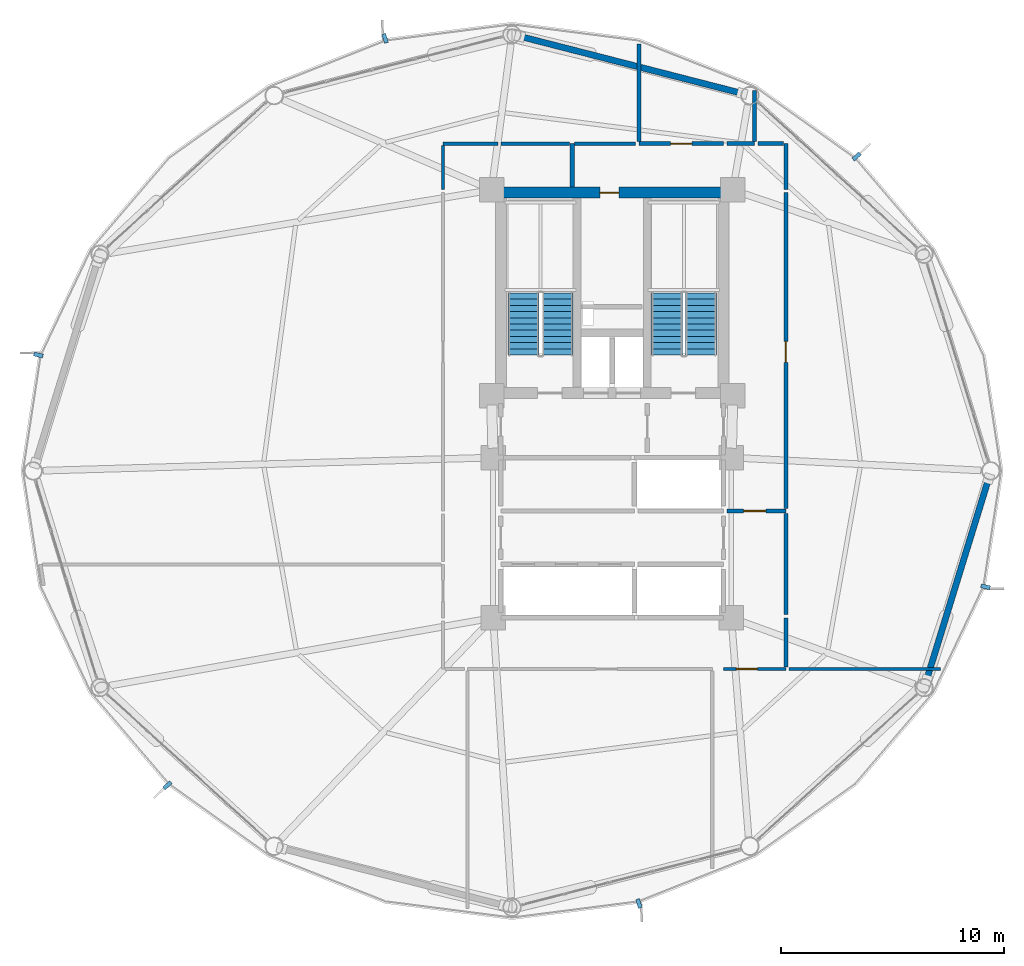
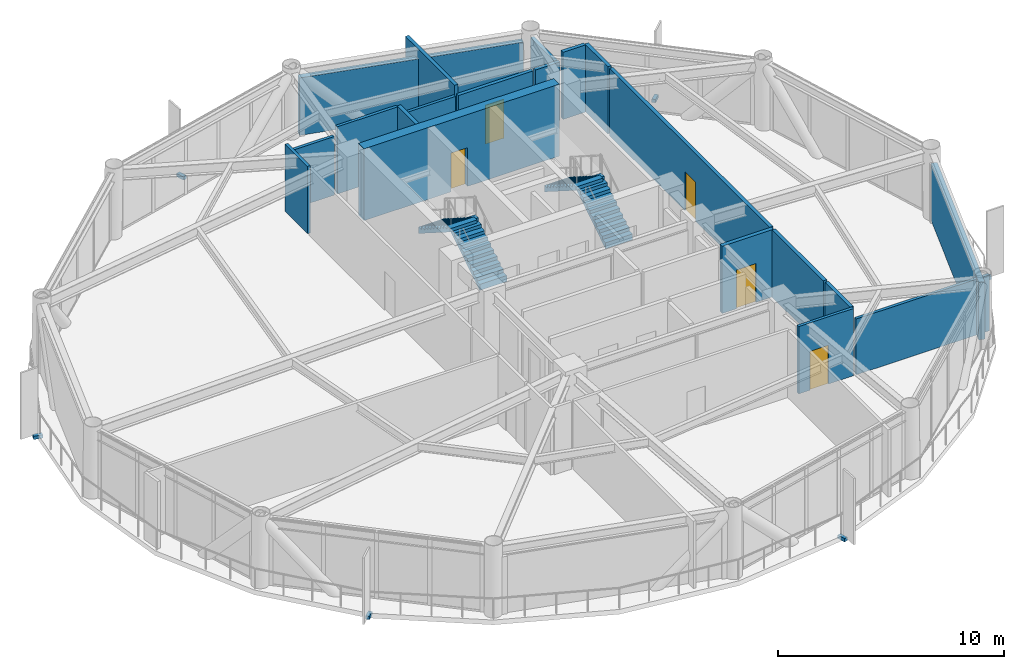
# One storey, part 20 of 23: 20 walls, 6 discrete accessories, 5 doors, 4 stair flights, 5 openings, 2 elements without a shape of their own.
"""IFC4 building model written with IfcOpenShell, lengths in metres."""

from ifc_helpers import new_model, si_unit, direction, frame, frame_2d, origin, origin_2d, place, context, subcontext, project, spatial, polyline, rectangle, outline, extrude, source, transform, mapped, material, layer, layer_set, type_object, type_shapes, element, fill, aggregate, save


model = new_model("IFC4")

# Units and contexts
model_context = context("Model", 3, precision=1e-05, world=origin(), true_north=direction((0.0, 1.0)))
body_context = subcontext(model_context, "Body", "Model", "MODEL_VIEW")
ifc_project = project(units=[si_unit("LENGTHUNIT", "METRE"), si_unit("AREAUNIT", "SQUARE_METRE"), si_unit("VOLUMEUNIT", "CUBIC_METRE"), si_unit("PLANEANGLEUNIT", "RADIAN"), si_unit("MASSUNIT", "GRAM", prefix="KILO")], contexts=[model_context])

# Site, building, storey
site_placement = place(None, origin())
site = spatial("IfcSite", under=ifc_project, at=site_placement, CompositionType="ELEMENT")
building_placement = place(site_placement, origin())
building = spatial("IfcBuilding", under=site, at=building_placement, Name="Varnakorn Sky Granary", CompositionType="ELEMENT")
storey_placement = place(building_placement, frame((0.0, 0.0, 107.10009765625)))
storey = spatial("IfcBuildingStorey", under=building, at=storey_placement, Name="L26", CompositionType="ELEMENT", Elevation=107.10009765625)

# Wall, opening, door
ifc_material_1 = material(Name="Concrete C60/75", Category="concrete")
ifc_layer_1 = layer(ifc_material_1, 0.5, Name="Concrete C60/75")
ifc_layer_set_1 = layer_set([ifc_layer_1], Name="Concrete C60/75")
wall_type_1 = type_object("IfcWallType", Name="WT-CW-SHEAR-500", PredefinedType="SHEAR", material=ifc_layer_set_1)
wall_1_placement = place(storey_placement, frame((-2.0, 12.5, 0.0), z_axis=(0.0, 0.0, 1.0), x_axis=(1.0, 0.0, 0.0)))
wall_1 = element("IfcWall", 1, at=wall_1_placement, inside=storey, type_object=wall_type_1, Name="Core North Shear Wall L26", PredefinedType="SHEAR", context=body_context, shape_type="SweptSolid", body=[
    extrude(rectangle(XDim=10.0, YDim=0.5, at=frame_2d((5.0, 0.0))), origin(), (0.0, 0.0, 1.0), 3.891845703125),
])
opening_1_placement = place(wall_1_placement, frame((4.449951171875, 0.0, 0.0)))
opening_1 = element("IfcOpeningElement", 2, at=opening_1_placement, cuts=wall_1, Name="Opening FD-60N", PredefinedType="OPENING", context=body_context, shape_type="SweptSolid", body=[
    extrude(rectangle(XDim=0.85009765625, YDim=2.10009765625, at=frame_2d((0.425048828125, 1.050048828125))), frame((0.0, 0.260009765625, 0.0), z_axis=(0.0, -1.0, 0.0), x_axis=(1.0, 0.0, 0.0)), (0.0, 0.0, 1.0), 0.52001953125),
])
ifc_material_2 = material(Name="Acoustic Timber Fire Leaf", Category="wood")
door_type_1 = type_object("IfcDoorType", Name="DR-FD60-850", OperationType="NOTDEFINED", PredefinedType="DOOR", material=ifc_material_2)
door_1_placement = place(opening_1_placement, origin())
door_1 = element("IfcDoor", 3, at=door_1_placement, inside=storey, type_object=door_type_1, Name="Core North Service Door L26", OperationType="SINGLE_SWING_RIGHT", OverallHeight=2.10009765625, OverallWidth=0.85009765625, PredefinedType="DOOR", context=body_context, shape_type="SweptSolid", body=[
    extrude(rectangle(XDim=0.85009765625, YDim=2.10009765625, at=frame_2d((0.425048828125, 1.050048828125))), frame((0.0, 0.02490234375, 0.0), z_axis=(0.0, -1.0, 0.0), x_axis=(1.0, 0.0, 0.0)), (0.0, 0.0, 1.0), 0.050048828125),
])
fill(opening_1, door_1)

# Walls
ifc_material_3 = material(Name="Precast concrete C40/50", Category="concrete")
ifc_layer_2 = layer(ifc_material_3, 0.280029296875, Name="Precast concrete C40/50")
ifc_layer_set_2 = layer_set([ifc_layer_2], Name="Precast concrete C40/50")
wall_type_2 = type_object("IfcWallType", Name="WT-EW-CRN-280", PredefinedType="SOLIDWALL", material=ifc_layer_set_2)
wall_2_placement = place(storey_placement, frame((-1.14990234375, 19.522216796875, 0.0), z_axis=(0.0, 0.0, 1.0), x_axis=(0.96859447041, -0.248645836265, 0.0)))
element("IfcWall", 4, at=wall_2_placement, inside=storey, type_object=wall_type_2, Name="Agritech Insulated Precast Facade Wall L26-P03", PredefinedType="SOLIDWALL", context=body_context, shape_type="SweptSolid", body=[
    extrude(rectangle(XDim=10.314697265625, YDim=0.280029296875, at=frame_2d((5.1572265625, 0.0))), origin(), (0.0, 0.0, 1.0), 3.10986328125),
])
wall_3_placement = place(storey_placement, frame((19.91064453125, -0.345458984375, 0.0), z_axis=(0.0, 0.0, 1.0), x_axis=(-0.294373967966, -0.95569030914, 0.0)))
element("IfcWall", 5, at=wall_3_placement, inside=storey, type_object=wall_type_2, Name="Agritech Insulated Precast Facade Wall L26-P12", PredefinedType="SOLIDWALL", context=body_context, shape_type="SweptSolid", body=[
    extrude(rectangle(XDim=9.467041015625, YDim=0.280029296875, at=frame_2d((4.7333984375, 0.0))), origin(), (0.0, 0.0, 1.0), 3.10986328125),
])

# Wall, opening, door
ifc_material_4 = material(Name="Autoclaved Aerated Concrete Blockwork", Category="masonry")
ifc_layer_3 = layer(ifc_material_4, 0.199951171875, Name="Autoclaved Aerated Concrete Blockwork")
ifc_layer_set_3 = layer_set([ifc_layer_3], Name="Autoclaved Aerated Concrete Blockwork")
wall_type_3 = type_object("IfcWallType", Name="WT-FIRE-200", PredefinedType="MOVABLE", material=ifc_layer_set_3)
wall_4_placement = place(storey_placement, frame((8.159912109375, -1.800048828125, 0.0), z_axis=(0.0, 0.0, 1.0), x_axis=(1.0, 0.0, 0.0)))
wall_4 = element("IfcWall", 6, at=wall_4_placement, inside=storey, type_object=wall_type_3, Name="Interior Partition Wall L26-021", PredefinedType="MOVABLE", context=body_context, shape_type="SweptSolid", body=[
    extrude(rectangle(XDim=2.64013671875, YDim=0.199951171875, at=frame_2d((1.320068359375, 0.0))), origin(), (0.0, 0.0, 1.0), 3.639892578125),
])
opening_2_placement = place(wall_4_placement, frame((0.739990234375, 0.0, 0.0)))
opening_2 = element("IfcOpeningElement", 7, at=opening_2_placement, cuts=wall_4, Name="Opening FD-60", PredefinedType="OPENING", context=body_context, shape_type="SweptSolid", body=[
    extrude(rectangle(XDim=1.0, YDim=2.10009765625, at=frame_2d((0.5, 1.050048828125))), frame((0.0, 0.10986328125, 0.0), z_axis=(0.0, -1.0, 0.0), x_axis=(1.0, 0.0, 0.0)), (0.0, 0.0, 1.0), 0.219970703125),
])
door_type_2 = type_object("IfcDoorType", Name="DR-FD60-1000", OperationType="NOTDEFINED", PredefinedType="DOOR", material=ifc_material_2)
door_2_placement = place(opening_2_placement, origin())
door_2 = element("IfcDoor", 8, at=door_2_placement, inside=storey, type_object=door_type_2, Name="Interior Door L26-021-1", OperationType="SINGLE_SWING_LEFT", OverallHeight=2.10009765625, OverallWidth=1.0, PredefinedType="DOOR", context=body_context, shape_type="SweptSolid", body=[
    extrude(rectangle(XDim=1.0, YDim=2.10009765625, at=frame_2d((0.5, 1.050048828125))), frame((0.0, 0.02490234375, 0.0), z_axis=(0.0, -1.0, 0.0), x_axis=(1.0, 0.0, 0.0)), (0.0, 0.0, 1.0), 0.050048828125),
])
fill(opening_2, door_2)

# Wall
wall_5_placement = place(storey_placement, frame((1.199951171875, 14.699951171875, 0.0), z_axis=(0.0, 0.0, 1.0), x_axis=(0.0, -1.0, 0.0)))
element("IfcWall", 9, at=wall_5_placement, inside=storey, type_object=wall_type_3, Name="Interior Partition Wall L26-029", PredefinedType="MOVABLE", context=body_context, shape_type="SweptSolid", body=[
    extrude(rectangle(XDim=1.93994140625, YDim=0.199951171875, at=frame_2d((0.969970703125, 0.0))), origin(), (0.0, 0.0, 1.0), 3.639892578125),
])

# Wall, opening, door
ifc_material_5 = material(Name="Gypsum Plasterboard on Steel Stud", Category="steel")
ifc_layer_4 = layer(ifc_material_5, 0.14990234375, Name="Gypsum Plasterboard on Steel Stud")
ifc_layer_set_4 = layer_set([ifc_layer_4], Name="Gypsum Plasterboard on Steel Stud")
wall_type_4 = type_object("IfcWallType", Name="WT-PART-150", PredefinedType="PARTITIONING", material=ifc_layer_set_4)
wall_6_placement = place(storey_placement, frame((8.0, -8.89990234375, 0.0), z_axis=(0.0, 0.0, 1.0), x_axis=(1.0, 0.0, 0.0)))
wall_6 = element("IfcWall", 10, at=wall_6_placement, inside=storey, type_object=wall_type_4, Name="Interior Partition Wall L26-024", PredefinedType="PARTITIONING", context=body_context, shape_type="SweptSolid", body=[
    extrude(rectangle(XDim=2.800048828125, YDim=0.14990234375, at=frame_2d((1.39990234375, 0.0))), origin(), (0.0, 0.0, 1.0), 3.639892578125),
])
opening_3_placement = place(wall_6_placement, frame((0.574951171875, 0.0, 0.0)))
opening_3 = element("IfcOpeningElement", 11, at=opening_3_placement, cuts=wall_6, Name="Opening ID-95", PredefinedType="OPENING", context=body_context, shape_type="SweptSolid", body=[
    extrude(rectangle(XDim=0.949951171875, YDim=2.10009765625, at=frame_2d((0.47509765625, 1.050048828125))), frame((0.0, 0.0849609375, 0.0), z_axis=(0.0, -1.0, 0.0), x_axis=(1.0, 0.0, 0.0)), (0.0, 0.0, 1.0), 0.169921875),
])
ifc_material_6 = material(Name="Solid-Core Teak Veneer Leaf", Category="timber")
door_type_3 = type_object("IfcDoorType", Name="DR-INT-950", OperationType="NOTDEFINED", PredefinedType="DOOR", material=ifc_material_6)
door_3_placement = place(opening_3_placement, origin())
door_3 = element("IfcDoor", 12, at=door_3_placement, inside=storey, type_object=door_type_3, Name="Interior Door L26-024-1", OperationType="SINGLE_SWING_RIGHT", OverallHeight=2.10009765625, OverallWidth=0.949951171875, PredefinedType="DOOR", context=body_context, shape_type="SweptSolid", body=[
    extrude(rectangle(XDim=0.949951171875, YDim=2.10009765625, at=frame_2d((0.47509765625, 1.050048828125))), frame((0.0, 0.02490234375, 0.0), z_axis=(0.0, -1.0, 0.0), x_axis=(1.0, 0.0, 0.0)), (0.0, 0.0, 1.0), 0.050048828125),
])
fill(opening_3, door_3)

# Walls
wall_7_placement = place(storey_placement, frame((10.93505859375, -8.89990234375, 0.0), z_axis=(0.0, 0.0, 1.0), x_axis=(1.0, 0.0, 0.0)))
element("IfcWall", 13, at=wall_7_placement, inside=storey, type_object=wall_type_4, Name="Interior Partition Wall L26-034", PredefinedType="PARTITIONING", context=body_context, shape_type="SweptSolid", body=[
    extrude(rectangle(XDim=6.822021484375, YDim=0.14990234375, at=frame_2d((3.4111328125, 0.0))), origin(), (0.0, 0.0, 1.0), 3.02197265625),
])
wall_8_placement = place(storey_placement, frame((1.090087890625, 14.699951171875, 0.0), z_axis=(0.0, 0.0, 1.0), x_axis=(-1.0, 0.0, 0.0)))
element("IfcWall", 14, at=wall_8_placement, inside=storey, type_object=wall_type_4, Name="Interior Partition Wall L26-039", PredefinedType="PARTITIONING", context=body_context, shape_type="SweptSolid", body=[
    extrude(rectangle(XDim=3.090087890625, YDim=0.14990234375, at=frame_2d((1.544921875, 0.0))), origin(), (0.0, 0.0, 1.0), 3.639892578125),
])
wall_9_placement = place(storey_placement, frame((-2.135009765625, 14.699951171875, 0.0), z_axis=(0.0, 0.0, 1.0), x_axis=(-1.0, 0.0, 0.0)))
element("IfcWall", 15, at=wall_9_placement, inside=storey, type_object=wall_type_4, Name="Interior Partition Wall L26-040", PredefinedType="PARTITIONING", context=body_context, shape_type="SweptSolid", body=[
    extrude(rectangle(XDim=2.465087890625, YDim=0.14990234375, at=frame_2d((1.232421875, 0.0))), origin(), (0.0, 0.0, 1.0), 3.171875),
])
wall_10_placement = place(storey_placement, frame((-4.60009765625, 14.614990234375, 0.0), z_axis=(0.0, 0.0, 1.0), x_axis=(0.0, -1.0, 0.0)))
element("IfcWall", 16, at=wall_10_placement, inside=storey, type_object=wall_type_4, Name="Interior Partition Wall L26-042", PredefinedType="PARTITIONING", context=body_context, shape_type="SweptSolid", body=[
    extrude(rectangle(XDim=1.97998046875, YDim=0.14990234375, at=frame_2d((0.989990234375, 0.0))), origin(), (0.0, 0.0, 1.0), 3.639892578125),
])
wall_11_placement = place(storey_placement, frame((4.050048828125, 14.699951171875, 0.0), z_axis=(0.0, 0.0, 1.0), x_axis=(-1.0, 0.0, 0.0)))
element("IfcWall", 17, at=wall_11_placement, inside=storey, type_object=wall_type_4, Name="Interior Partition Wall L26-043", PredefinedType="PARTITIONING", context=body_context, shape_type="SweptSolid", body=[
    extrude(rectangle(XDim=2.739990234375, YDim=0.14990234375, at=frame_2d((1.3701171875, 0.0))), origin(), (0.0, 0.0, 1.0), 3.171875),
])

# Wall, opening, door
ifc_material_7 = material(Name="Moisture-Resistant Gypsum on Stud", Category="gypsum")
ifc_layer_5 = layer(ifc_material_7, 0.179931640625, Name="Moisture-Resistant Gypsum on Stud")
ifc_layer_set_5 = layer_set([ifc_layer_5], Name="Moisture-Resistant Gypsum on Stud")
wall_type_5 = type_object("IfcWallType", Name="WT-PLUMB-180", PredefinedType="PLUMBINGWALL", material=ifc_layer_set_5)
wall_12_placement = place(storey_placement, frame((8.0, 14.699951171875, 0.0), z_axis=(0.0, 0.0, 1.0), x_axis=(-1.0, 0.0, 0.0)))
wall_12 = element("IfcWall", 18, at=wall_12_placement, inside=storey, type_object=wall_type_5, Name="Interior Partition Wall L26-022", PredefinedType="PLUMBINGWALL", context=body_context, shape_type="SweptSolid", body=[
    extrude(rectangle(XDim=3.800048828125, YDim=0.179931640625, at=frame_2d((1.89990234375, 0.0))), origin(), (0.0, 0.0, 1.0), 3.171875),
])
opening_4_placement = place(wall_12_placement, frame((1.425048828125, 0.0, 0.0)))
opening_4 = element("IfcOpeningElement", 19, at=opening_4_placement, cuts=wall_12, Name="Opening ID-95", PredefinedType="OPENING", context=body_context, shape_type="SweptSolid", body=[
    extrude(rectangle(XDim=0.949951171875, YDim=2.10009765625, at=frame_2d((0.47509765625, 1.050048828125))), frame((0.0, 0.10009765625, 0.0), z_axis=(0.0, -1.0, 0.0), x_axis=(1.0, 0.0, 0.0)), (0.0, 0.0, 1.0), 0.199951171875),
])
door_4_placement = place(opening_4_placement, origin())
door_4 = element("IfcDoor", 20, at=door_4_placement, inside=storey, type_object=door_type_3, Name="Interior Door L26-022-1", OperationType="SINGLE_SWING_RIGHT", OverallHeight=2.10009765625, OverallWidth=0.949951171875, PredefinedType="DOOR", context=body_context, shape_type="SweptSolid", body=[
    extrude(rectangle(XDim=0.949951171875, YDim=2.10009765625, at=frame_2d((0.47509765625, 1.050048828125))), frame((0.0, 0.02490234375, 0.0), z_axis=(0.0, -1.0, 0.0), x_axis=(1.0, 0.0, 0.0)), (0.0, 0.0, 1.0), 0.050048828125),
])
fill(opening_4, door_4)

wall_13_placement = place(storey_placement, frame((10.800048828125, -1.68994140625, 0.0), z_axis=(0.0, 0.0, 1.0), x_axis=(0.0, 1.0, 0.0)))
wall_13 = element("IfcWall", 21, at=wall_13_placement, inside=storey, type_object=wall_type_5, Name="Interior Partition Wall L26-027", PredefinedType="PLUMBINGWALL", context=body_context, shape_type="SweptSolid", body=[
    extrude(rectangle(XDim=14.18994140625, YDim=0.179931640625, at=frame_2d((7.094970703125, 0.0))), origin(), (0.0, 0.0, 1.0), 3.639892578125),
])
opening_5_placement = place(wall_13_placement, frame((6.56494140625, 0.0, 0.0)))
opening_5 = element("IfcOpeningElement", 22, at=opening_5_placement, cuts=wall_13, Name="Opening ID-95", PredefinedType="OPENING", context=body_context, shape_type="SweptSolid", body=[
    extrude(rectangle(XDim=0.949951171875, YDim=2.10009765625, at=frame_2d((0.47509765625, 1.050048828125))), frame((0.0, 0.10009765625, 0.0), z_axis=(0.0, -1.0, 0.0), x_axis=(1.0, 0.0, 0.0)), (0.0, 0.0, 1.0), 0.199951171875),
])
door_5_placement = place(opening_5_placement, origin())
door_5 = element("IfcDoor", 23, at=door_5_placement, inside=storey, type_object=door_type_3, Name="Interior Door L26-027-1", OperationType="SINGLE_SWING_LEFT", OverallHeight=2.10009765625, OverallWidth=0.949951171875, PredefinedType="DOOR", context=body_context, shape_type="SweptSolid", body=[
    extrude(rectangle(XDim=0.949951171875, YDim=2.10009765625, at=frame_2d((0.47509765625, 1.050048828125))), frame((0.0, 0.02490234375, 0.0), z_axis=(0.0, -1.0, 0.0), x_axis=(1.0, 0.0, 0.0)), (0.0, 0.0, 1.0), 0.050048828125),
])
fill(opening_5, door_5)

# Walls
wall_14_placement = place(storey_placement, frame((9.39990234375, 14.699951171875, 0.0), z_axis=(0.0, 0.0, 1.0), x_axis=(-1.0, 0.0, 0.0)))
element("IfcWall", 24, at=wall_14_placement, inside=storey, type_object=wall_type_5, Name="Interior Partition Wall L26-030", PredefinedType="PLUMBINGWALL", context=body_context, shape_type="SweptSolid", body=[
    extrude(rectangle(XDim=1.25, YDim=0.179931640625, at=frame_2d((0.625, 0.0))), origin(), (0.0, 0.0, 1.0), 3.171875),
])
wall_15_placement = place(storey_placement, frame((4.199951171875, 19.175048828125, 0.0), z_axis=(0.0, 0.0, 1.0), x_axis=(0.0, -1.0, 0.0)))
element("IfcWall", 25, at=wall_15_placement, inside=storey, type_object=wall_type_5, Name="Interior Partition Wall L26-044", PredefinedType="PLUMBINGWALL", context=body_context, shape_type="SweptSolid", body=[
    extrude(rectangle(XDim=4.375, YDim=0.179931640625, at=frame_2d((2.1875, 0.0))), origin(), (0.0, 0.0, 1.0), 3.639892578125),
])
wall_16_placement = place(storey_placement, frame((10.800048828125, 12.64990234375, 0.0), z_axis=(0.0, 0.0, 1.0), x_axis=(0.0, 1.0, 0.0)))
element("IfcWall", 26, at=wall_16_placement, inside=storey, type_object=wall_type_5, Name="Interior Partition Wall L26-045", PredefinedType="PLUMBINGWALL", context=body_context, shape_type="SweptSolid", body=[
    extrude(rectangle(XDim=2.050048828125, YDim=0.179931640625, at=frame_2d((1.02490234375, 0.0))), origin(), (0.0, 0.0, 1.0), 3.639892578125),
])
wall_17_placement = place(storey_placement, frame((10.699951171875, 14.699951171875, 0.0), z_axis=(0.0, 0.0, 1.0), x_axis=(-1.0, 0.0, 0.0)))
element("IfcWall", 27, at=wall_17_placement, inside=storey, type_object=wall_type_5, Name="Interior Partition Wall L26-046", PredefinedType="PLUMBINGWALL", context=body_context, shape_type="SweptSolid", body=[
    extrude(rectangle(XDim=1.14990234375, YDim=0.179931640625, at=frame_2d((0.574951171875, 0.0))), origin(), (0.0, 0.0, 1.0), 3.639892578125),
])
wall_18_placement = place(storey_placement, frame((10.800048828125, -8.81494140625, 0.0), z_axis=(0.0, 0.0, 1.0), x_axis=(0.0, 1.0, 0.0)))
element("IfcWall", 28, at=wall_18_placement, inside=storey, type_object=wall_type_5, Name="Interior Partition Wall L26-047", PredefinedType="PLUMBINGWALL", context=body_context, shape_type="SweptSolid", body=[
    extrude(rectangle(XDim=2.21484375, YDim=0.179931640625, at=frame_2d((1.107421875, 0.0))), origin(), (0.0, 0.0, 1.0), 3.639892578125),
])
wall_19_placement = place(storey_placement, frame((10.800048828125, -6.449951171875, 0.0), z_axis=(0.0, 0.0, 1.0), x_axis=(0.0, 1.0, 0.0)))
element("IfcWall", 29, at=wall_19_placement, inside=storey, type_object=wall_type_5, Name="Interior Partition Wall L26-048", PredefinedType="PLUMBINGWALL", context=body_context, shape_type="SweptSolid", body=[
    extrude(rectangle(XDim=4.5400390625, YDim=0.179931640625, at=frame_2d((2.27001953125, 0.0))), origin(), (0.0, 0.0, 1.0), 3.639892578125),
])
wall_20_placement = place(storey_placement, frame((9.39990234375, 14.800048828125, 0.0), z_axis=(0.0, 0.0, 1.0), x_axis=(0.0, 1.0, 0.0)))
element("IfcWall", 30, at=wall_20_placement, inside=storey, type_object=wall_type_5, Name="Interior Partition Wall L26-049", PredefinedType="PLUMBINGWALL", context=body_context, shape_type="SweptSolid", body=[
    extrude(rectangle(XDim=2.2978515625, YDim=0.179931640625, at=frame_2d((1.14892578125, 0.0))), origin(), (0.0, 0.0, 1.0), 3.02197265625),
])

# Stair, stair flights
ifc_material_8 = material(Name="Concrete C40/50", Category="concrete")
stair_type = type_object("IfcStairType", Name="ST-MAIN-ASSEMBLY", PredefinedType="HALF_TURN_STAIR", material=ifc_material_8)
stair_1_placement = place(storey_placement, origin())
stair_1 = element("IfcStair", 31, at=stair_1_placement, inside=storey, type_object=stair_type, Name="L26 Protected Exit Stair ST-1", PredefinedType="HALF_TURN_STAIR")
stair_flight_type = type_object("IfcStairFlightType", Name="ST-MAIN-FLIGHT", PredefinedType="STRAIGHT", material=ifc_material_8)
stair_flight_1_placement = place(storey_placement, frame((0.550048828125, 5.199951171875, 0.0), z_axis=(0.0, 0.0, 1.0), x_axis=(0.0, 1.0, 0.0)))
stair_flight_1 = element("IfcStairFlight", 32, at=stair_flight_1_placement, type_object=stair_flight_type, Name="ST-1 flight 1", NumberOfRisers=11, NumberOfTreads=10, PredefinedType="STRAIGHT", RiserHeight=0.177272727, TreadLength=0.28, context=body_context, shape_type="SweptSolid", body=[
    extrude(outline(polyline([(0.0, -0.14990234375), (0.0, 0.0), (0.0, 0.17724609375), (0.280029296875, 0.17724609375), (0.280029296875, 0.3544921875), (0.56005859375, 0.3544921875), (0.56005859375, 0.53173828125), (0.840087890625, 0.53173828125), (0.840087890625, 0.708984375), (1.1201171875, 0.708984375), (1.1201171875, 0.886474609375), (1.39990234375, 0.886474609375), (1.39990234375, 1.063720703125), (1.679931640625, 1.063720703125), (1.679931640625, 1.240966796875), (1.9599609375, 1.240966796875), (1.9599609375, 1.418212890625), (2.239990234375, 1.418212890625), (2.239990234375, 1.595458984375), (2.52001953125, 1.595458984375), (2.52001953125, 1.772705078125), (2.800048828125, 1.772705078125), (2.800048828125, 1.949951171875), (2.800048828125, 1.59521484375), (0.050048828125, -0.14990234375), (0.0, -0.14990234375)])), frame((0.0, 0.68994140625, 0.0), z_axis=(0.0, -1.0, 0.0), x_axis=(1.0, 0.0, 0.0)), (0.0, 0.0, 1.0), 1.3798828125),
])
stair_flight_2_placement = place(storey_placement, frame((-0.97998046875, 8.0, 1.949951171875), z_axis=(0.0, 0.0, 1.0), x_axis=(0.0, -1.0, 0.0)))
stair_flight_2 = element("IfcStairFlight", 33, at=stair_flight_2_placement, type_object=stair_flight_type, Name="ST-1 flight 2", NumberOfRisers=11, NumberOfTreads=10, PredefinedType="STRAIGHT", RiserHeight=0.177272727, TreadLength=0.28, context=body_context, shape_type="SweptSolid", body=[
    extrude(outline(polyline([(0.0, -0.14990234375), (0.0, 0.0), (0.0, 0.17724609375), (0.280029296875, 0.17724609375), (0.280029296875, 0.3544921875), (0.56005859375, 0.3544921875), (0.56005859375, 0.53173828125), (0.840087890625, 0.53173828125), (0.840087890625, 0.708984375), (1.1201171875, 0.708984375), (1.1201171875, 0.886474609375), (1.39990234375, 0.886474609375), (1.39990234375, 1.063720703125), (1.679931640625, 1.063720703125), (1.679931640625, 1.240966796875), (1.9599609375, 1.240966796875), (1.9599609375, 1.418212890625), (2.239990234375, 1.418212890625), (2.239990234375, 1.595458984375), (2.52001953125, 1.595458984375), (2.52001953125, 1.772705078125), (2.800048828125, 1.772705078125), (2.800048828125, 1.949951171875), (2.800048828125, 1.59521484375), (0.050048828125, -0.14990234375), (0.0, -0.14990234375)])), frame((0.0, 0.68994140625, 0.0), z_axis=(0.0, -1.0, 0.0), x_axis=(1.0, 0.0, 0.0)), (0.0, 0.0, 1.0), 1.3798828125),
])
aggregate(stair_1, [stair_flight_1, stair_flight_2])

stair_2_placement = place(storey_placement, origin())
stair_2 = element("IfcStair", 34, at=stair_2_placement, inside=storey, type_object=stair_type, Name="L26 Protected Exit Stair ST-2", PredefinedType="HALF_TURN_STAIR")
stair_flight_3_placement = place(storey_placement, frame((6.989990234375, 5.199951171875, 0.0), z_axis=(0.0, 0.0, 1.0), x_axis=(0.0, 1.0, 0.0)))
stair_flight_3 = element("IfcStairFlight", 35, at=stair_flight_3_placement, type_object=stair_flight_type, Name="ST-2 flight 1", NumberOfRisers=11, NumberOfTreads=10, PredefinedType="STRAIGHT", RiserHeight=0.177272727, TreadLength=0.28, context=body_context, shape_type="SweptSolid", body=[
    extrude(outline(polyline([(0.0, -0.14990234375), (0.0, 0.0), (0.0, 0.17724609375), (0.280029296875, 0.17724609375), (0.280029296875, 0.3544921875), (0.56005859375, 0.3544921875), (0.56005859375, 0.53173828125), (0.840087890625, 0.53173828125), (0.840087890625, 0.708984375), (1.1201171875, 0.708984375), (1.1201171875, 0.886474609375), (1.39990234375, 0.886474609375), (1.39990234375, 1.063720703125), (1.679931640625, 1.063720703125), (1.679931640625, 1.240966796875), (1.9599609375, 1.240966796875), (1.9599609375, 1.418212890625), (2.239990234375, 1.418212890625), (2.239990234375, 1.595458984375), (2.52001953125, 1.595458984375), (2.52001953125, 1.772705078125), (2.800048828125, 1.772705078125), (2.800048828125, 1.949951171875), (2.800048828125, 1.59521484375), (0.050048828125, -0.14990234375), (0.0, -0.14990234375)])), frame((0.0, 0.68994140625, 0.0), z_axis=(0.0, -1.0, 0.0), x_axis=(1.0, 0.0, 0.0)), (0.0, 0.0, 1.0), 1.3798828125),
])
stair_flight_4_placement = place(storey_placement, frame((5.4599609375, 8.0, 1.949951171875), z_axis=(0.0, 0.0, 1.0), x_axis=(0.0, -1.0, 0.0)))
stair_flight_4 = element("IfcStairFlight", 36, at=stair_flight_4_placement, type_object=stair_flight_type, Name="ST-2 flight 2", NumberOfRisers=11, NumberOfTreads=10, PredefinedType="STRAIGHT", RiserHeight=0.177272727, TreadLength=0.28, context=body_context, shape_type="SweptSolid", body=[
    extrude(outline(polyline([(0.0, -0.14990234375), (0.0, 0.0), (0.0, 0.17724609375), (0.280029296875, 0.17724609375), (0.280029296875, 0.3544921875), (0.56005859375, 0.3544921875), (0.56005859375, 0.53173828125), (0.840087890625, 0.53173828125), (0.840087890625, 0.708984375), (1.1201171875, 0.708984375), (1.1201171875, 0.886474609375), (1.39990234375, 0.886474609375), (1.39990234375, 1.063720703125), (1.679931640625, 1.063720703125), (1.679931640625, 1.240966796875), (1.9599609375, 1.240966796875), (1.9599609375, 1.418212890625), (2.239990234375, 1.418212890625), (2.239990234375, 1.595458984375), (2.52001953125, 1.595458984375), (2.52001953125, 1.772705078125), (2.800048828125, 1.772705078125), (2.800048828125, 1.949951171875), (2.800048828125, 1.59521484375), (0.050048828125, -0.14990234375), (0.0, -0.14990234375)])), frame((0.0, 0.68994140625, 0.0), z_axis=(0.0, -1.0, 0.0), x_axis=(1.0, 0.0, 0.0)), (0.0, 0.0, 1.0), 1.3798828125),
])
aggregate(stair_2, [stair_flight_3, stair_flight_4])

# Discrete accessories
ifc_material_9 = material(Name="Steel S355JR", Category="steel")
discrete_accessory_type = type_object("IfcDiscreteAccessoryType", Name="AC-BRK-01", PredefinedType="BRACKET", material=ifc_material_9)
shared_shape = source(origin(), body_context, "Body", "SweptSolid", [
    extrude(rectangle(XDim=0.179931640625, YDim=0.419921875, at=origin_2d()), origin(), (0.0, 0.0, 1.0), 0.179931640625),
])
type_shapes(discrete_accessory_type, [shared_shape])
for number, where, z_axis, x_axis, name in (
    (37, (13.980224609375, 14.12548828125, -0.2001953125), (0.0, 0.0, 1.0), (-0.674044239993, 0.738690979052, 0.0), "Facade Solar-Screen Outrigger Bracket L26-02"),
    (38, (-7.202392578125, 19.4306640625, -0.2001953125), (0.0, 0.0, 1.0), (-0.959531529969, -0.281601212703, 0.0), "Facade Solar-Screen Outrigger Bracket L26-04"),
    (39, (-22.772216796875, 5.2041015625, -0.2001953125), (0.0, 0.0, 1.0), (-0.237635343098, -0.971354437737, 0.0), "Facade Solar-Screen Outrigger Bracket L26-06"),
    (40, (-16.980224609375, -14.12548828125, -0.2001953125), (0.0, 0.0, 1.0), (0.674044239993, -0.738690979052, 0.0), "Facade Solar-Screen Outrigger Bracket L26-08"),
    (41, (4.202392578125, -19.4306640625, -0.2001953125), (0.0, 0.0, 1.0), (0.959531529969, 0.281601212703, 0.0), "Facade Solar-Screen Outrigger Bracket L26-10"),
    (42, (19.772216796875, -5.2041015625, -0.2001953125), (0.0, 0.0, 1.0), (0.237635343098, 0.971354437737, 0.0), "Facade Solar-Screen Outrigger Bracket L26-12"),
):
    element("IfcDiscreteAccessory", number, at=place(storey_placement, frame(where, z_axis=z_axis, x_axis=x_axis)), inside=storey, type_object=discrete_accessory_type, Name=name, PredefinedType="BRACKET", context=body_context, shape_type="MappedRepresentation", body=[
        mapped(shared_shape, transform((0.0, 0.0, 0.0), x_axis=(1.0, 0.0, 0.0), y_axis=(0.0, 1.0, 0.0), z_axis=(0.0, 0.0, 1.0), scale=1.0)),
    ])

save(model, "model.ifc")
